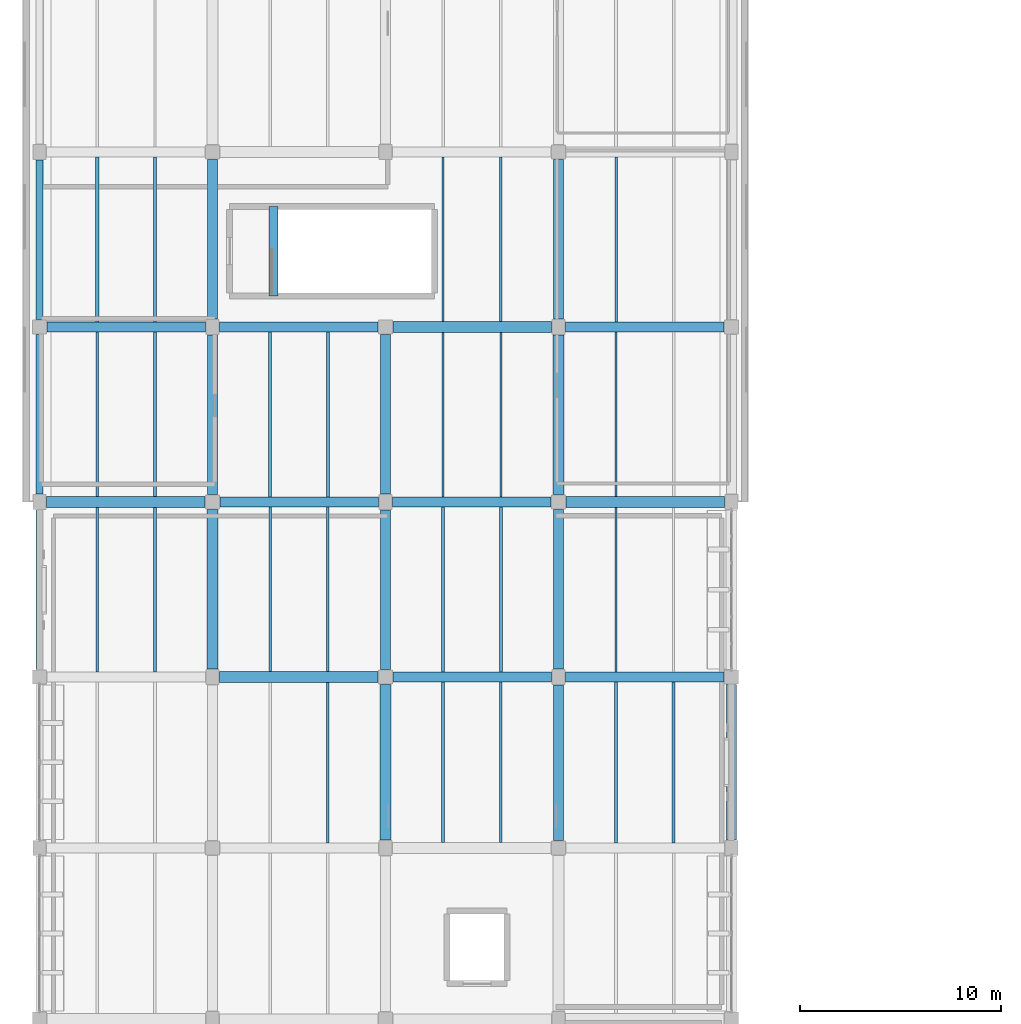
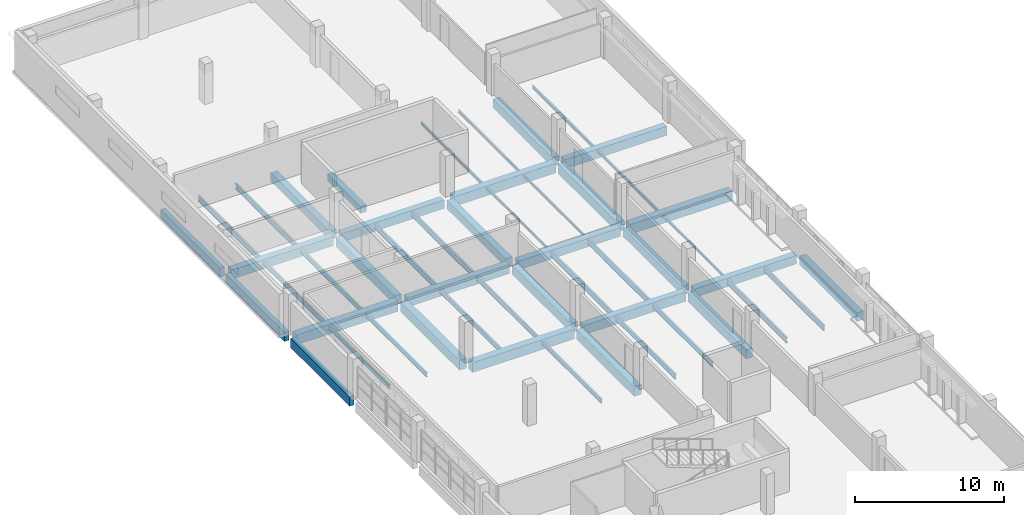
# One storey, part 41 of 75: 50 beams.
"""IFC4 building model written with IfcOpenShell, lengths in metres."""

from ifc_helpers import new_model, si_unit, direction, frame, origin, origin_2d, place, context, subcontext, project, spatial, rectangle, i_section, extrude, material, material_profile, profile_set, type_object, element, save


model = new_model("IFC4")

# Units and contexts
model_context = context("Model", 3, precision=1e-05, world=origin(), true_north=direction((0.0, 1.0)))
body_context = subcontext(model_context, "Body", "Model", "MODEL_VIEW")
ifc_project = project(units=[si_unit("LENGTHUNIT", "METRE"), si_unit("AREAUNIT", "SQUARE_METRE"), si_unit("VOLUMEUNIT", "CUBIC_METRE"), si_unit("PLANEANGLEUNIT", "RADIAN"), si_unit("MASSUNIT", "GRAM", prefix="KILO")], contexts=[model_context])

# Site, building, storey
site_placement = place(None, origin())
site = spatial("IfcSite", under=ifc_project, at=site_placement, CompositionType="ELEMENT")
building_placement = place(site_placement, origin())
building = spatial("IfcBuilding", under=site, at=building_placement, Name="Varnakota Cinema and Media Centre", CompositionType="ELEMENT")
storey_placement = place(building_placement, frame((0.0, 0.0, 8.39990234375)))
storey = spatial("IfcBuildingStorey", under=building, at=storey_placement, Name="L02", CompositionType="ELEMENT", Elevation=8.39990234375)

# Beams
ifc_material_1 = material(Name="Concrete M40", Category="concrete")
ifc_material_profile_1 = material_profile(ifc_material_1, rectangle(XDim=0.449951171875, YDim=0.550048828125, at=origin_2d()), Name="RCB 450x550")
ifc_profile_set_1 = profile_set([ifc_material_profile_1], Name="Concrete M40")
beam_type_1 = type_object("IfcBeamType", Name="BM-RC-450x550", PredefinedType="BEAM", material=ifc_profile_set_1)
beam_1_placement = place(storey_placement, frame((11.6201171875, 88.449951171875, -0.27490234375), z_axis=(0.0, 1.0, 0.0), x_axis=(-1.0, 0.0, 0.0)))
element("IfcBeam", 1, at=beam_1_placement, inside=storey, type_object=beam_type_1, Name="L02 ST-05 stair arrival trimmer beam", PredefinedType="BEAM", context=body_context, shape_type="SweptSolid", body=[
    extrude(rectangle(XDim=0.449951171875, YDim=0.550048828125, at=origin_2d()), origin(), (0.0, 0.0, 1.0), 4.449951171875),
])
ifc_material_2 = material(Name="Concrete M35", Category="concrete")
ifc_material_profile_2 = material_profile(ifc_material_2, rectangle(XDim=0.5, YDim=0.699951171875, at=origin_2d()), Name="RCB 500x700")
ifc_profile_set_2 = profile_set([ifc_material_profile_2], Name="Concrete M35")
beam_type_2 = type_object("IfcBeamType", Name="BM-RC-500x700", PredefinedType="BEAM", material=ifc_profile_set_2)
for number, where, z_axis, x_axis, name in (
    (2, (26.14990234375, 69.5, -0.599853515625), (1.0, 0.0, 0.0), (0.0, 1.0, 0.0), "L02 girder D-E/9"),
    (3, (17.550048828125, 78.199951171875, -0.599853515625), (1.0, 0.0, 0.0), (0.0, 1.0, 0.0), "L02 girder C-D/10"),
    (4, (8.949951171875, 86.89990234375, -0.599853515625), (1.0, 0.0, 0.0), (0.0, 1.0, 0.0), "L02 girder B-C/11"),
):
    element("IfcBeam", number, at=place(storey_placement, frame(where, z_axis=z_axis, x_axis=x_axis)), inside=storey, type_object=beam_type_2, Name=name, PredefinedType="BEAM", context=body_context, shape_type="SweptSolid", body=[
        extrude(rectangle(XDim=0.5, YDim=0.699951171875, at=origin_2d()), origin(), (0.0, 0.0, 1.0), 7.875),
    ])
beam_2_placement = place(storey_placement, frame((8.60009765625, 87.300048828125, -0.599853515625), z_axis=(0.0, 1.0, 0.0), x_axis=(-1.0, 0.0, 0.0)))
element("IfcBeam", 5, at=beam_2_placement, inside=storey, type_object=beam_type_2, Name="L02 girder B/11-12", PredefinedType="BEAM", context=body_context, shape_type="SweptSolid", body=[
    extrude(rectangle(XDim=0.5, YDim=0.699951171875, at=origin_2d()), origin(), (0.0, 0.0, 1.0), 7.925048828125),
])
beam_3_placement = place(storey_placement, frame((17.199951171875, 78.60009765625, -0.599853515625), z_axis=(0.0, 1.0, 0.0), x_axis=(-1.0, 0.0, 0.0)))
element("IfcBeam", 6, at=beam_3_placement, inside=storey, type_object=beam_type_2, Name="L02 girder C/10-11", PredefinedType="BEAM", context=body_context, shape_type="SweptSolid", body=[
    extrude(rectangle(XDim=0.5, YDim=0.699951171875, at=origin_2d()), origin(), (0.0, 0.0, 1.0), 7.9248046875),
])
beam_4_placement = place(storey_placement, frame((25.800048828125, 69.89990234375, -0.599853515625), z_axis=(0.0, 1.0, 0.0), x_axis=(-1.0, 0.0, 0.0)))
element("IfcBeam", 7, at=beam_4_placement, inside=storey, type_object=beam_type_2, Name="L02 girder D/9-10", PredefinedType="BEAM", context=body_context, shape_type="SweptSolid", body=[
    extrude(rectangle(XDim=0.5, YDim=0.699951171875, at=origin_2d()), origin(), (0.0, 0.0, 1.0), 7.925048828125),
])
beam_5_placement = place(storey_placement, frame((34.39990234375, 61.39990234375, -0.599853515625), z_axis=(0.0, 1.0, 0.0), x_axis=(-1.0, 0.0, 0.0)))
element("IfcBeam", 8, at=beam_5_placement, inside=storey, type_object=beam_type_2, Name="L02 girder E/8-9", PredefinedType="BEAM", context=body_context, shape_type="SweptSolid", body=[
    extrude(rectangle(XDim=0.5, YDim=0.699951171875, at=origin_2d()), origin(), (0.0, 0.0, 1.0), 7.72509765625),
])
ifc_material_3 = material(Name="Concrete M35", Category="concrete")
ifc_material_profile_3 = material_profile(ifc_material_3, rectangle(XDim=0.5, YDim=0.75, at=origin_2d()), Name="RCB 500x750")
ifc_profile_set_3 = profile_set([ifc_material_profile_3], Name="Concrete M35")
beam_type_3 = type_object("IfcBeamType", Name="BM-RC-500x750", PredefinedType="BEAM", material=ifc_profile_set_3)
for number, where, z_axis, x_axis, name in (
    (9, (17.574951171875, 69.5, -0.625), (1.0, 0.0, 0.0), (0.0, 1.0, 0.0), "L02 girder C-D/9"),
    (10, (8.97509765625, 78.199951171875, -0.625), (1.0, 0.0, 0.0), (0.0, 1.0, 0.0), "L02 girder B-C/10"),
    (11, (0.375, 86.89990234375, -0.625), (1.0, 0.0, 0.0), (0.0, 1.0, 0.0), "L02 girder A-B/11"),
    (12, (26.14990234375, 86.89990234375, -0.625), (1.0, 0.0, 0.0), (0.0, 1.0, 0.0), "L02 girder D-E/11"),
):
    element("IfcBeam", number, at=place(storey_placement, frame(where, z_axis=z_axis, x_axis=x_axis)), inside=storey, type_object=beam_type_3, Name=name, PredefinedType="BEAM", context=body_context, shape_type="SweptSolid", body=[
        extrude(rectangle(XDim=0.5, YDim=0.75, at=origin_2d()), origin(), (0.0, 0.0, 1.0), 7.875),
    ])
for number, where, z_axis, x_axis, name in (
    (13, (8.60009765625, 78.574951171875, -0.625), (0.0, 1.0, 0.0), (-1.0, 0.0, 0.0), "L02 girder B/10-11"),
    (14, (17.199951171875, 69.875, -0.625), (0.0, 1.0, 0.0), (-1.0, 0.0, 0.0), "L02 girder C/9-10"),
):
    element("IfcBeam", number, at=place(storey_placement, frame(where, z_axis=z_axis, x_axis=x_axis)), inside=storey, type_object=beam_type_3, Name=name, PredefinedType="BEAM", context=body_context, shape_type="SweptSolid", body=[
        extrude(rectangle(XDim=0.5, YDim=0.75, at=origin_2d()), origin(), (0.0, 0.0, 1.0), 7.925048828125),
    ])
beam_6_placement = place(storey_placement, frame((25.800048828125, 61.375, -0.625), z_axis=(0.0, 1.0, 0.0), x_axis=(-1.0, 0.0, 0.0)))
element("IfcBeam", 15, at=beam_6_placement, inside=storey, type_object=beam_type_3, Name="L02 girder D/8-9", PredefinedType="BEAM", context=body_context, shape_type="SweptSolid", body=[
    extrude(rectangle(XDim=0.5, YDim=0.75, at=origin_2d()), origin(), (0.0, 0.0, 1.0), 7.72509765625),
])
beam_7_placement = place(storey_placement, frame((25.800048828125, 87.300048828125, -0.625), z_axis=(0.0, 1.0, 0.0), x_axis=(-1.0, 0.0, 0.0)))
element("IfcBeam", 16, at=beam_7_placement, inside=storey, type_object=beam_type_3, Name="L02 girder D/11-12", PredefinedType="BEAM", context=body_context, shape_type="SweptSolid", body=[
    extrude(rectangle(XDim=0.5, YDim=0.75, at=origin_2d()), origin(), (0.0, 0.0, 1.0), 7.925048828125),
])
ifc_material_4 = material(Name="Concrete M35", Category="concrete")
ifc_material_profile_4 = material_profile(ifc_material_4, rectangle(XDim=0.550048828125, YDim=0.800048828125, at=origin_2d()), Name="RCB 550x800")
ifc_profile_set_4 = profile_set([ifc_material_profile_4], Name="Concrete M35")
beam_type_4 = type_object("IfcBeamType", Name="BM-RC-550x800", PredefinedType="BEAM", material=ifc_profile_set_4)
for number, where, z_axis, x_axis, name in (
    (17, (8.949951171875, 69.5, -0.64990234375), (1.0, 0.0, 0.0), (0.0, 1.0, 0.0), "L02 girder B-C/9"),
    (18, (0.35009765625, 78.199951171875, -0.64990234375), (1.0, 0.0, 0.0), (0.0, 1.0, 0.0), "L02 girder A-B/10"),
    (19, (26.175048828125, 78.199951171875, -0.64990234375), (1.0, 0.0, 0.0), (0.0, 1.0, 0.0), "L02 girder D-E/10"),
    (20, (17.574951171875, 86.89990234375, -0.64990234375), (1.0, 0.0, 0.0), (0.0, 1.0, 0.0), "L02 girder C-D/11"),
):
    element("IfcBeam", number, at=place(storey_placement, frame(where, z_axis=z_axis, x_axis=x_axis)), inside=storey, type_object=beam_type_4, Name=name, PredefinedType="BEAM", context=body_context, shape_type="SweptSolid", body=[
        extrude(rectangle(XDim=0.550048828125, YDim=0.800048828125, at=origin_2d()), origin(), (0.0, 0.0, 1.0), 7.875),
    ])
beam_8_placement = place(storey_placement, frame((8.60009765625, 69.89990234375, -0.64990234375), z_axis=(0.0, 1.0, 0.0), x_axis=(-1.0, 0.0, 0.0)))
element("IfcBeam", 21, at=beam_8_placement, inside=storey, type_object=beam_type_4, Name="L02 girder B/9-10", PredefinedType="BEAM", context=body_context, shape_type="SweptSolid", body=[
    extrude(rectangle(XDim=0.550048828125, YDim=0.800048828125, at=origin_2d()), origin(), (0.0, 0.0, 1.0), 7.925048828125),
])
beam_9_placement = place(storey_placement, frame((17.199951171875, 61.39990234375, -0.64990234375), z_axis=(0.0, 1.0, 0.0), x_axis=(-1.0, 0.0, 0.0)))
element("IfcBeam", 22, at=beam_9_placement, inside=storey, type_object=beam_type_4, Name="L02 girder C/8-9", PredefinedType="BEAM", context=body_context, shape_type="SweptSolid", body=[
    extrude(rectangle(XDim=0.550048828125, YDim=0.800048828125, at=origin_2d()), origin(), (0.0, 0.0, 1.0), 7.72509765625),
])
beam_10_placement = place(storey_placement, frame((25.800048828125, 78.574951171875, -0.64990234375), z_axis=(0.0, 1.0, 0.0), x_axis=(-1.0, 0.0, 0.0)))
element("IfcBeam", 23, at=beam_10_placement, inside=storey, type_object=beam_type_4, Name="L02 girder D/10-11", PredefinedType="BEAM", context=body_context, shape_type="SweptSolid", body=[
    extrude(rectangle(XDim=0.550048828125, YDim=0.800048828125, at=origin_2d()), origin(), (0.0, 0.0, 1.0), 7.925048828125),
])
ifc_material_5 = material(Name="Concrete M40", Category="concrete")
ifc_material_profile_5 = material_profile(ifc_material_5, rectangle(XDim=0.35009765625, YDim=0.75, at=origin_2d()), Name="RCB 350x750")
ifc_profile_set_5 = profile_set([ifc_material_profile_5], Name="Concrete M40")
beam_type_5 = type_object("IfcBeamType", Name="BM-SP-350x750", PredefinedType="SPANDREL", material=ifc_profile_set_5)
beam_11_placement = place(storey_placement, frame((0.0, 69.875, -0.625), z_axis=(0.0, 1.0, 0.0), x_axis=(-1.0, 0.0, 0.0)))
element("IfcBeam", 24, at=beam_11_placement, inside=storey, type_object=beam_type_5, Name="L02 girder A/9-10", PredefinedType="SPANDREL", context=body_context, shape_type="SweptSolid", body=[
    extrude(rectangle(XDim=0.35009765625, YDim=0.75, at=origin_2d()), origin(), (0.0, 0.0, 1.0), 7.925048828125),
])
beam_12_placement = place(storey_placement, frame((0.0, 78.60009765625, -0.625), z_axis=(0.0, 1.0, 0.0), x_axis=(-1.0, 0.0, 0.0)))
element("IfcBeam", 25, at=beam_12_placement, inside=storey, type_object=beam_type_5, Name="L02 girder A/10-11", PredefinedType="SPANDREL", context=body_context, shape_type="SweptSolid", body=[
    extrude(rectangle(XDim=0.35009765625, YDim=0.75, at=origin_2d()), origin(), (0.0, 0.0, 1.0), 7.9248046875),
])
beam_13_placement = place(storey_placement, frame((0.0, 87.27490234375, -0.625), z_axis=(0.0, 1.0, 0.0), x_axis=(-1.0, 0.0, 0.0)))
element("IfcBeam", 26, at=beam_13_placement, inside=storey, type_object=beam_type_5, Name="L02 girder A/11-12", PredefinedType="SPANDREL", context=body_context, shape_type="SweptSolid", body=[
    extrude(rectangle(XDim=0.35009765625, YDim=0.75, at=origin_2d()), origin(), (0.0, 0.0, 1.0), 7.925048828125),
])
ifc_material_6 = material(Name="Structural steel Grade 350 (E350)", Category="steel")
ifc_material_profile_6 = material_profile(ifc_material_6, i_section(OverallWidth=0.10009765625, OverallDepth=0.199951171875, WebThickness=0.005615234375, FlangeThickness=0.0107421875, FilletRadius=0.010986328125, at=origin_2d()), Name="ISMB 200")
ifc_profile_set_6 = profile_set([ifc_material_profile_6], Name="Structural steel Grade 350 (E350)")
beam_type_6 = type_object("IfcBeamType", Name="BM-ST-ISMB200", PredefinedType="JOIST", material=ifc_profile_set_6)
for number, where, z_axis, x_axis, name in (
    (27, (20.066650390625, 78.449951171875, -0.349853515625), (0.0, 1.0, 0.0), (-1.0, 0.0, 0.0), "L02 steel joist C-D/10-11 #1"),
    (28, (22.933349609375, 78.449951171875, -0.349853515625), (0.0, 1.0, 0.0), (-1.0, 0.0, 0.0), "L02 steel joist C-D/10-11 #2"),
    (29, (28.666748046875, 69.75, -0.349853515625), (0.0, 1.0, 0.0), (-1.0, 0.0, 0.0), "L02 steel joist D-E/9-10 #1"),
):
    element("IfcBeam", number, at=place(storey_placement, frame(where, z_axis=z_axis, x_axis=x_axis)), inside=storey, type_object=beam_type_6, Name=name, PredefinedType="JOIST", context=body_context, shape_type="SweptSolid", body=[
        extrude(i_section(OverallWidth=0.10009765625, OverallDepth=0.199951171875, WebThickness=0.005615234375, FlangeThickness=0.0107421875, FilletRadius=0.010986328125, at=origin_2d()), origin(), (0.0, 0.0, 1.0), 8.175048828125),
    ])
ifc_material_7 = material(Name="Structural steel Grade 350 (E350)", Category="steel")
ifc_material_profile_7 = material_profile(ifc_material_7, i_section(OverallWidth=0.110107421875, OverallDepth=0.22509765625, WebThickness=0.006591796875, FlangeThickness=0.01171875, FilletRadius=0.011962890625, at=origin_2d()), Name="ISMB 225")
ifc_profile_set_7 = profile_set([ifc_material_profile_7], Name="Structural steel Grade 350 (E350)")
beam_type_7 = type_object("IfcBeamType", Name="BM-ST-ISMB225", PredefinedType="JOIST", material=ifc_profile_set_7)
for number, where, z_axis, x_axis, name in (
    (30, (20.066650390625, 87.175048828125, -0.3623046875), (0.0, 1.0, 0.0), (-1.0, 0.0, 0.0), "L02 steel joist C-D/11-12 #1"),
    (31, (22.933349609375, 87.175048828125, -0.3623046875), (0.0, 1.0, 0.0), (-1.0, 0.0, 0.0), "L02 steel joist C-D/11-12 #2"),
):
    element("IfcBeam", number, at=place(storey_placement, frame(where, z_axis=z_axis, x_axis=x_axis)), inside=storey, type_object=beam_type_7, Name=name, PredefinedType="JOIST", context=body_context, shape_type="SweptSolid", body=[
        extrude(i_section(OverallWidth=0.110107421875, OverallDepth=0.22509765625, WebThickness=0.006591796875, FlangeThickness=0.01171875, FilletRadius=0.011962890625, at=origin_2d()), origin(), (0.0, 0.0, 1.0), 8.175048828125),
    ])
beam_14_placement = place(storey_placement, frame((28.666748046875, 78.47509765625, -0.3623046875), z_axis=(0.0, 1.0, 0.0), x_axis=(-1.0, 0.0, 0.0)))
element("IfcBeam", 32, at=beam_14_placement, inside=storey, type_object=beam_type_7, Name="L02 steel joist D-E/10-11 #1", PredefinedType="JOIST", context=body_context, shape_type="SweptSolid", body=[
    extrude(i_section(OverallWidth=0.110107421875, OverallDepth=0.22509765625, WebThickness=0.006591796875, FlangeThickness=0.01171875, FilletRadius=0.011962890625, at=origin_2d()), origin(), (0.0, 0.0, 1.0), 8.1748046875),
])
ifc_material_8 = material(Name="Structural steel Grade 350 (E350)", Category="steel")
ifc_material_profile_8 = material_profile(ifc_material_8, i_section(OverallWidth=0.125, OverallDepth=0.25, WebThickness=0.0068359375, FlangeThickness=0.012451171875, FilletRadius=0.012939453125, at=origin_2d()), Name="ISMB 250")
ifc_profile_set_8 = profile_set([ifc_material_profile_8], Name="Structural steel Grade 350 (E350)")
beam_type_8 = type_object("IfcBeamType", Name="BM-ST-ISMB250", PredefinedType="JOIST", material=ifc_profile_set_8)
beam_15_placement = place(storey_placement, frame((28.666748046875, 87.14990234375, -0.375), z_axis=(0.0, 1.0, 0.0), x_axis=(-1.0, 0.0, 0.0)))
element("IfcBeam", 33, at=beam_15_placement, inside=storey, type_object=beam_type_8, Name="L02 steel joist D-E/11-12 #1", PredefinedType="JOIST", context=body_context, shape_type="SweptSolid", body=[
    extrude(i_section(OverallWidth=0.125, OverallDepth=0.25, WebThickness=0.0068359375, FlangeThickness=0.012451171875, FilletRadius=0.012939453125, at=origin_2d()), origin(), (0.0, 0.0, 1.0), 8.2001953125),
])
ifc_material_9 = material(Name="Structural steel Grade 350 (E350)", Category="steel")
ifc_material_profile_9 = material_profile(ifc_material_9, i_section(OverallWidth=0.139892578125, OverallDepth=0.35009765625, WebThickness=0.008056640625, FlangeThickness=0.01416015625, FilletRadius=0.013916015625, at=origin_2d()), Name="ISMB 350")
ifc_profile_set_9 = profile_set([ifc_material_profile_9], Name="Structural steel Grade 350 (E350)")
beam_type_9 = type_object("IfcBeamType", Name="BM-ST-ISMB350", PredefinedType="JOIST", material=ifc_profile_set_9)
for number, where, z_axis, x_axis, name in (
    (34, (2.86669921875, 69.75, -0.4248046875), (0.0, 1.0, 0.0), (-1.0, 0.0, 0.0), "L02 steel joist A-B/9-10 #1"),
    (35, (5.7333984375, 69.75, -0.4248046875), (0.0, 1.0, 0.0), (-1.0, 0.0, 0.0), "L02 steel joist A-B/9-10 #2"),
):
    element("IfcBeam", number, at=place(storey_placement, frame(where, z_axis=z_axis, x_axis=x_axis)), inside=storey, type_object=beam_type_9, Name=name, PredefinedType="JOIST", context=body_context, shape_type="SweptSolid", body=[
        extrude(i_section(OverallWidth=0.139892578125, OverallDepth=0.35009765625, WebThickness=0.008056640625, FlangeThickness=0.01416015625, FilletRadius=0.013916015625, at=origin_2d()), origin(), (0.0, 0.0, 1.0), 8.175048828125),
    ])
beam_16_placement = place(storey_placement, frame((14.333251953125, 61.25, -0.4248046875), z_axis=(0.0, 1.0, 0.0), x_axis=(-1.0, 0.0, 0.0)))
element("IfcBeam", 36, at=beam_16_placement, inside=storey, type_object=beam_type_9, Name="L02 steel joist B-C/8-9 #2", PredefinedType="JOIST", context=body_context, shape_type="SweptSolid", body=[
    extrude(i_section(OverallWidth=0.139892578125, OverallDepth=0.35009765625, WebThickness=0.008056640625, FlangeThickness=0.01416015625, FilletRadius=0.013916015625, at=origin_2d()), origin(), (0.0, 0.0, 1.0), 7.97509765625),
])
ifc_material_10 = material(Name="Structural steel Grade 350 (E350)", Category="steel")
ifc_material_profile_10 = material_profile(ifc_material_10, i_section(OverallWidth=0.139892578125, OverallDepth=0.39990234375, WebThickness=0.0087890625, FlangeThickness=0.01611328125, FilletRadius=0.013916015625, at=origin_2d()), Name="ISMB 400")
ifc_profile_set_10 = profile_set([ifc_material_profile_10], Name="Structural steel Grade 350 (E350)")
beam_type_10 = type_object("IfcBeamType", Name="BM-ST-ISMB400", PredefinedType="JOIST", material=ifc_profile_set_10)
for number, where, z_axis, x_axis, name in (
    (37, (2.86669921875, 78.47509765625, -0.449951171875), (0.0, 1.0, 0.0), (-1.0, 0.0, 0.0), "L02 steel joist A-B/10-11 #1"),
    (38, (5.7333984375, 78.47509765625, -0.449951171875), (0.0, 1.0, 0.0), (-1.0, 0.0, 0.0), "L02 steel joist A-B/10-11 #2"),
):
    element("IfcBeam", number, at=place(storey_placement, frame(where, z_axis=z_axis, x_axis=x_axis)), inside=storey, type_object=beam_type_10, Name=name, PredefinedType="JOIST", context=body_context, shape_type="SweptSolid", body=[
        extrude(i_section(OverallWidth=0.139892578125, OverallDepth=0.39990234375, WebThickness=0.0087890625, FlangeThickness=0.01611328125, FilletRadius=0.013916015625, at=origin_2d()), origin(), (0.0, 0.0, 1.0), 8.1748046875),
    ])
for number, where, z_axis, x_axis, name in (
    (39, (11.466796875, 69.77490234375, -0.449951171875), (0.0, 1.0, 0.0), (-1.0, 0.0, 0.0), "L02 steel joist B-C/9-10 #1"),
    (40, (14.333251953125, 69.77490234375, -0.449951171875), (0.0, 1.0, 0.0), (-1.0, 0.0, 0.0), "L02 steel joist B-C/9-10 #2"),
):
    element("IfcBeam", number, at=place(storey_placement, frame(where, z_axis=z_axis, x_axis=x_axis)), inside=storey, type_object=beam_type_10, Name=name, PredefinedType="JOIST", context=body_context, shape_type="SweptSolid", body=[
        extrude(i_section(OverallWidth=0.139892578125, OverallDepth=0.39990234375, WebThickness=0.0087890625, FlangeThickness=0.01611328125, FilletRadius=0.013916015625, at=origin_2d()), origin(), (0.0, 0.0, 1.0), 8.175048828125),
    ])
for number, where, z_axis, x_axis, name in (
    (41, (20.066650390625, 61.27490234375, -0.449951171875), (0.0, 1.0, 0.0), (-1.0, 0.0, 0.0), "L02 steel joist C-D/8-9 #1"),
    (42, (22.933349609375, 61.27490234375, -0.449951171875), (0.0, 1.0, 0.0), (-1.0, 0.0, 0.0), "L02 steel joist C-D/8-9 #2"),
):
    element("IfcBeam", number, at=place(storey_placement, frame(where, z_axis=z_axis, x_axis=x_axis)), inside=storey, type_object=beam_type_10, Name=name, PredefinedType="JOIST", context=body_context, shape_type="SweptSolid", body=[
        extrude(i_section(OverallWidth=0.139892578125, OverallDepth=0.39990234375, WebThickness=0.0087890625, FlangeThickness=0.01611328125, FilletRadius=0.013916015625, at=origin_2d()), origin(), (0.0, 0.0, 1.0), 7.97509765625),
    ])
ifc_material_11 = material(Name="Structural steel Grade 350 (E350)", Category="steel")
ifc_material_profile_11 = material_profile(ifc_material_11, i_section(OverallWidth=0.14990234375, OverallDepth=0.449951171875, WebThickness=0.009521484375, FlangeThickness=0.017333984375, FilletRadius=0.014892578125, at=origin_2d()), Name="ISMB 450")
ifc_profile_set_11 = profile_set([ifc_material_profile_11], Name="Structural steel Grade 350 (E350)")
beam_type_11 = type_object("IfcBeamType", Name="BM-ST-ISMB450", PredefinedType="BEAM", material=ifc_profile_set_11)
for number, where, z_axis, x_axis, name in (
    (43, (2.86669921875, 87.14990234375, -0.474853515625), (0.0, 1.0, 0.0), (-1.0, 0.0, 0.0), "L02 steel joist A-B/11-12 #1"),
    (44, (5.7333984375, 87.14990234375, -0.474853515625), (0.0, 1.0, 0.0), (-1.0, 0.0, 0.0), "L02 steel joist A-B/11-12 #2"),
):
    element("IfcBeam", number, at=place(storey_placement, frame(where, z_axis=z_axis, x_axis=x_axis)), inside=storey, type_object=beam_type_11, Name=name, PredefinedType="BEAM", context=body_context, shape_type="SweptSolid", body=[
        extrude(i_section(OverallWidth=0.14990234375, OverallDepth=0.449951171875, WebThickness=0.009521484375, FlangeThickness=0.017333984375, FilletRadius=0.014892578125, at=origin_2d()), origin(), (0.0, 0.0, 1.0), 8.2001953125),
    ])
for number, where, z_axis, x_axis, name in (
    (45, (11.466796875, 78.449951171875, -0.474853515625), (0.0, 1.0, 0.0), (-1.0, 0.0, 0.0), "L02 steel joist B-C/10-11 #1"),
    (46, (14.333251953125, 78.449951171875, -0.474853515625), (0.0, 1.0, 0.0), (-1.0, 0.0, 0.0), "L02 steel joist B-C/10-11 #2"),
    (47, (20.066650390625, 69.75, -0.474853515625), (0.0, 1.0, 0.0), (-1.0, 0.0, 0.0), "L02 steel joist C-D/9-10 #1"),
    (48, (22.933349609375, 69.75, -0.474853515625), (0.0, 1.0, 0.0), (-1.0, 0.0, 0.0), "L02 steel joist C-D/9-10 #2"),
):
    element("IfcBeam", number, at=place(storey_placement, frame(where, z_axis=z_axis, x_axis=x_axis)), inside=storey, type_object=beam_type_11, Name=name, PredefinedType="BEAM", context=body_context, shape_type="SweptSolid", body=[
        extrude(i_section(OverallWidth=0.14990234375, OverallDepth=0.449951171875, WebThickness=0.009521484375, FlangeThickness=0.017333984375, FilletRadius=0.014892578125, at=origin_2d()), origin(), (0.0, 0.0, 1.0), 8.199951171875),
    ])
for number, where, z_axis, x_axis, name in (
    (49, (28.666748046875, 61.25, -0.474853515625), (0.0, 1.0, 0.0), (-1.0, 0.0, 0.0), "L02 steel joist D-E/8-9 #1"),
    (50, (31.533203125, 61.25, -0.474853515625), (0.0, 1.0, 0.0), (-1.0, 0.0, 0.0), "L02 steel joist D-E/8-9 #2"),
):
    element("IfcBeam", number, at=place(storey_placement, frame(where, z_axis=z_axis, x_axis=x_axis)), inside=storey, type_object=beam_type_11, Name=name, PredefinedType="BEAM", context=body_context, shape_type="SweptSolid", body=[
        extrude(i_section(OverallWidth=0.14990234375, OverallDepth=0.449951171875, WebThickness=0.009521484375, FlangeThickness=0.017333984375, FilletRadius=0.014892578125, at=origin_2d()), origin(), (0.0, 0.0, 1.0), 8.0),
    ])

save(model, "model.ifc")
